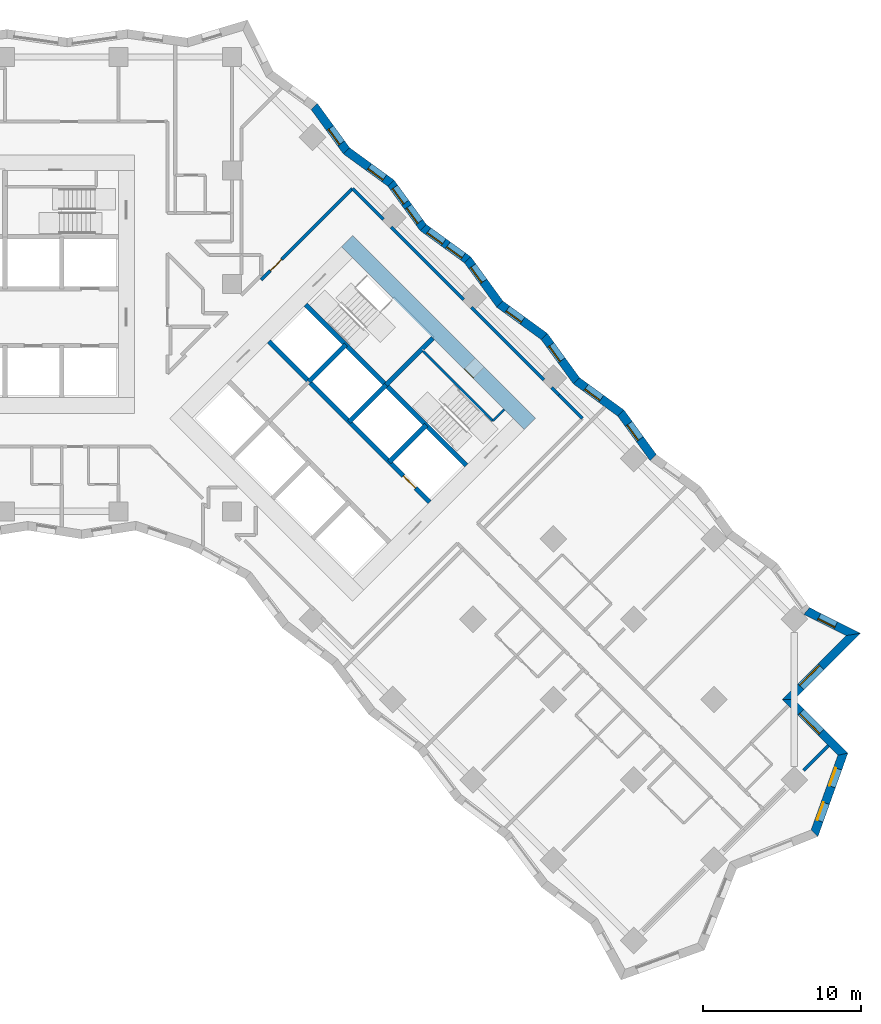
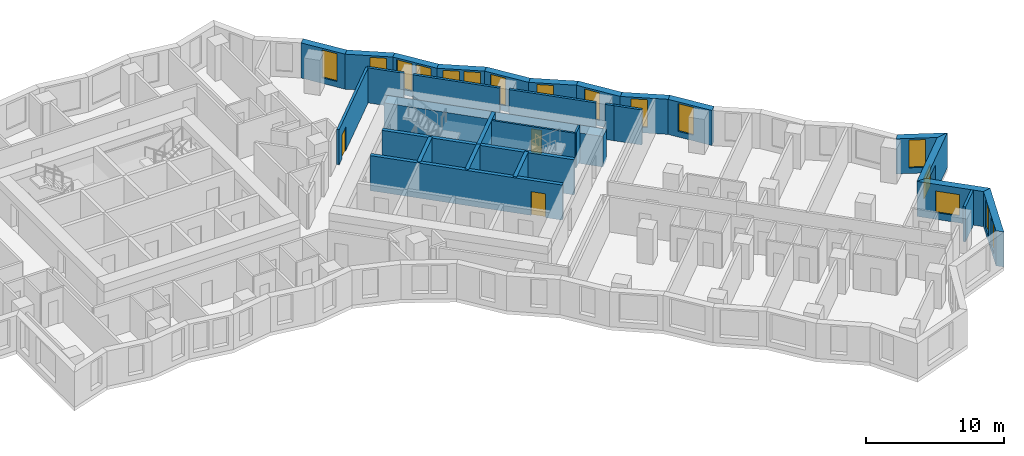
# One storey, part 9 of 12: 30 walls, 16 windows, 3 doors, 19 openings.
"""IFC4 building model written with IfcOpenShell, lengths in metres."""

import ifcopenshell
import ifcopenshell.guid

model = None  # the IFC model being written
_history = None  # IfcOwnerHistory: only IFC2X3 demands one
_inside = {}  # id of a spatial element -> (the spatial element, [elements in it])
_under = {}  # id of a project, library or spatial element -> (it, [spatial elements below it])
_declared = {}  # id of a project -> (the project, [libraries it declares])
_typed = {}  # id of a type object -> (the type object, [elements of that type])
_made_of = {}  # id of a material, layer set ... -> (it, [elements and type objects made of it])


def new_model(schema):
    """Start an empty IFC model of exactly this schema.

    Asked for "IFC4X3", IfcOpenShell would pick the latest addendum, in which some entities
    have other attributes; the version numbers below select the first issue.
    IFC2X3 requires an IfcOwnerHistory on every rooted entity: one is made here for all.
    """
    global model, _history
    if schema == "IFC4X3":
        model = ifcopenshell.file(schema_version=(4, 3, 0, 0))
    else:
        model = ifcopenshell.file(schema=schema)
    _inside.clear()
    _under.clear()
    _declared.clear()
    _typed.clear()
    _made_of.clear()
    _history = None
    if model.schema == "IFC2X3":
        org = make("IfcOrganization", Name="unknown")
        user = make(
            "IfcPersonAndOrganization",
            ThePerson=make("IfcPerson", FamilyName="unknown"),
            TheOrganization=org,
        )
        app = make(
            "IfcApplication",
            ApplicationDeveloper=org,
            Version="unknown",
            ApplicationFullName="unknown",
            ApplicationIdentifier="unknown",
        )
        _history = make(
            "IfcOwnerHistory",
            OwningUser=user,
            OwningApplication=app,
            ChangeAction="ADDED",
            CreationDate=0,
        )
    return model


def make(cls, **values):
    """One entity of the class cls with the attributes given. An attribute that is None is left unset."""
    return model.create_entity(
        cls, **{name: value for name, value in values.items() if value is not None}
    )


def rooted(cls, **values):
    """An entity with a GlobalId (a new one), such as an element, a storey or a relation."""
    return make(cls, GlobalId=ifcopenshell.guid.new(), OwnerHistory=_history, **values)


def si_unit(unit_type, name, prefix=None):
    """IfcSIUnit, for example si_unit("LENGTHUNIT", "METRE", prefix="MILLI")."""
    return make("IfcSIUnit", UnitType=unit_type, Prefix=prefix, Name=name)


def assignment(units):
    """IfcUnitAssignment: the units of a project."""
    return None if units is None else make("IfcUnitAssignment", Units=units)


def point(xyz):
    """IfcCartesianPoint."""
    return None if xyz is None else make("IfcCartesianPoint", Coordinates=xyz)


def direction(xyz):
    """IfcDirection."""
    return None if xyz is None else make("IfcDirection", DirectionRatios=xyz)


def frame(location, z_axis=None, x_axis=None):
    """IfcAxis2Placement3D, a coordinate frame: its origin and axes. An axis left out is left unset."""
    return make(
        "IfcAxis2Placement3D",
        Location=point(location),
        Axis=direction(z_axis),
        RefDirection=direction(x_axis),
    )


def frame_2d(location, x_axis=None):
    """IfcAxis2Placement2D, a coordinate frame in the plane: its origin and x axis."""
    return make(
        "IfcAxis2Placement2D", Location=point(location), RefDirection=direction(x_axis)
    )


def origin():
    """The frame at (0, 0, 0) with its axes left unset."""
    return frame((0.0, 0.0, 0.0))


def place(relative_to, where):
    """IfcLocalPlacement: puts the frame where relative to a parent placement (None: the world)."""
    return make(
        "IfcLocalPlacement", PlacementRelTo=relative_to, RelativePlacement=where
    )


def context(
    kind, dimensions, precision=None, world=None, true_north=None, identifier=None
):
    """IfcGeometricRepresentationContext, for example the 3D "Model" context."""
    return make(
        "IfcGeometricRepresentationContext",
        ContextIdentifier=identifier,
        ContextType=kind,
        CoordinateSpaceDimension=dimensions,
        Precision=precision,
        WorldCoordinateSystem=world,
        TrueNorth=true_north,
    )


def subcontext(parent, identifier, kind, view, scale=None):
    """IfcGeometricRepresentationSubContext, for example "Body" below "Model"."""
    return make(
        "IfcGeometricRepresentationSubContext",
        ContextIdentifier=identifier,
        ContextType=kind,
        ParentContext=parent,
        TargetScale=scale,
        TargetView=view,
    )


def project(units=None, contexts=None):
    """IfcProject with its units and contexts."""
    return rooted(
        "IfcProject",
        Name="project",
        RepresentationContexts=contexts,
        UnitsInContext=assignment(units),
    )


def spatial(cls, under=None, at=None, **own):
    """A site, building, storey or space (cls), placed at a placement, below another one or the project."""
    s = rooted(cls, ObjectPlacement=at, **own)
    if under is not None:
        _under.setdefault(under.id(), (under, []))[1].append(s)
    return s


def polyline(points):
    """IfcPolyline through the points."""
    return make("IfcPolyline", Points=[point(p) for p in points])


def profile(cls, at=None, kind="AREA", **sizes):
    """A parametric profile (cls). Its sizes go by their IFC names, for example OverallWidth=200.0."""
    return make(cls, ProfileType=kind, Position=at, **sizes)


def rectangle(**sizes):
    """IfcRectangleProfileDef."""
    return profile("IfcRectangleProfileDef", **sizes)


def outline(outer, holes=None, kind="AREA"):
    """IfcArbitraryClosedProfileDef: a profile drawn as a closed curve; with holes, ...WithVoids."""
    if holes is None:
        return make("IfcArbitraryClosedProfileDef", ProfileType=kind, OuterCurve=outer)
    return make(
        "IfcArbitraryProfileDefWithVoids",
        ProfileType=kind,
        OuterCurve=outer,
        InnerCurves=holes,
    )


def extrude(swept, where, along, depth):
    """IfcExtrudedAreaSolid: the profile swept, set in the frame where, extruded along a direction by depth."""
    return make(
        "IfcExtrudedAreaSolid",
        SweptArea=swept,
        Position=where,
        ExtrudedDirection=direction(along),
        Depth=depth,
    )


def shape(context_of_items, identifier, shape_type, items):
    """IfcShapeRepresentation: the items that make up one representation, for example the "Body"."""
    return make(
        "IfcShapeRepresentation",
        ContextOfItems=context_of_items,
        RepresentationIdentifier=identifier,
        RepresentationType=shape_type,
        Items=items,
    )


def material(Name=None, Category=None):
    """IfcMaterial."""
    return make("IfcMaterial", Name=Name, Category=Category)


def layer(
    of_material, thickness, ventilated=None, Name=None, Category=None, Priority=None
):
    """IfcMaterialLayer: one layer of a wall or slab, of a material (None: an air gap)."""
    return make(
        "IfcMaterialLayer",
        Material=of_material,
        LayerThickness=thickness,
        IsVentilated=ventilated,
        Name=Name,
        Category=Category,
        Priority=Priority,
    )


def layer_set(layers, Name=None):
    """IfcMaterialLayerSet."""
    return make("IfcMaterialLayerSet", MaterialLayers=layers, LayerSetName=Name)


def made_of(thing, what):
    """Note that an element or type object is made of a material, layer set ...; save() writes the relation."""
    if what is not None:
        _made_of.setdefault(what.id(), (what, []))[1].append(thing)
    return thing


def type_object(cls, material=None, **own):
    """A type object (cls), such as IfcWallType, which elements share."""
    return made_of(rooted(cls, **own), material)


def element(
    cls,
    number,
    at=None,
    inside=None,
    cuts=None,
    type_object=None,
    material=None,
    context=None,
    identifier="Body",
    shape_type=None,
    held_by="IfcProductDefinitionShape",
    body=None,
    shapes=None,
    **own,
):
    """One element of the class cls, such as IfcWall. Its Tag is "e" and its number.

    at: its placement. inside: the storey or other place that contains it. cuts: it is an
    opening in that element (IfcRelVoidsElement). A single representation is given by context,
    identifier, shape_type and body (its items); several are given by shapes. held_by: the class
    of the entity that holds the representations. save() writes the other relations.
    """
    e = rooted(cls, Tag="e%d" % number, ObjectPlacement=at, **own)
    if body is not None:
        shapes = [shape(context, identifier, shape_type, body)]
    if shapes is not None:
        e.Representation = make(held_by, Representations=shapes)
    if inside is not None:
        _inside.setdefault(inside.id(), (inside, []))[1].append(e)
    if cuts is not None:
        rooted(
            "IfcRelVoidsElement", RelatingBuildingElement=cuts, RelatedOpeningElement=e
        )
    if type_object is not None:
        _typed.setdefault(type_object.id(), (type_object, []))[1].append(e)
    return made_of(e, material)


def fill(opening, filler):
    """IfcRelFillsElement: the door or window that sits in an opening."""
    return rooted(
        "IfcRelFillsElement",
        RelatingOpeningElement=opening,
        RelatedBuildingElement=filler,
    )


def aggregate(whole, parts):
    """IfcRelAggregates: a whole, such as a stair, and the parts it consists of."""
    return rooted("IfcRelAggregates", RelatingObject=whole, RelatedObjects=parts)


def save(model, path):
    """Write the relations noted so far, then the file.

    IfcRelAggregates (storeys below a building ...), IfcRelContainedInSpatialStructure (elements
    in a storey), IfcRelDefinesByType, IfcRelAssociatesMaterial and IfcRelDeclares: one each for
    every whole, place, type object, material and project.
    """
    for whole, parts in _under.values():
        aggregate(whole, parts)
    for where, things in _inside.values():
        rooted(
            "IfcRelContainedInSpatialStructure",
            RelatedElements=things,
            RelatingStructure=where,
        )
    for kind, things in _typed.values():
        rooted("IfcRelDefinesByType", RelatedObjects=things, RelatingType=kind)
    for what, things in _made_of.values():
        rooted("IfcRelAssociatesMaterial", RelatedObjects=things, RelatingMaterial=what)
    for by, libraries in _declared.values():
        rooted("IfcRelDeclares", RelatingContext=by, RelatedDefinitions=libraries)
    model.write(path)


model = new_model("IFC4")

# Units and contexts
model_context = context("Model", 3, precision=1e-05, world=origin(), true_north=direction((0.0, 1.0)))
body_context = subcontext(model_context, "Body", "Model", "MODEL_VIEW")
ifc_project = project(units=[si_unit("LENGTHUNIT", "METRE"), si_unit("AREAUNIT", "SQUARE_METRE"), si_unit("VOLUMEUNIT", "CUBIC_METRE"), si_unit("PLANEANGLEUNIT", "RADIAN"), si_unit("MASSUNIT", "GRAM", prefix="KILO")], contexts=[model_context])

# Site, building, storey
site_placement = place(None, origin())
site = spatial("IfcSite", under=ifc_project, at=site_placement, CompositionType="ELEMENT")
building_placement = place(site_placement, origin())
building = spatial("IfcBuilding", under=site, at=building_placement, Name="Windrow Commons", CompositionType="ELEMENT")
storey_placement = place(building_placement, frame((0.0, 0.0, 54.2)))
storey = spatial("IfcBuildingStorey", under=building, at=storey_placement, Name="L14", CompositionType="ELEMENT", Elevation=54.2)

# Wall, openings, windows
ifc_material_1 = material(Name="Brick masonry, red clay brick", Category="masonry")
ifc_layer_1 = layer(ifc_material_1, 0.55)
ifc_layer_set_1 = layer_set([ifc_layer_1], Name="Brick facade wall 550")
wall_type_1 = type_object("IfcWallType", Name="Brick facade wall 550", PredefinedType="SOLIDWALL", material=ifc_layer_set_1)
wall_1_placement = place(storey_placement, frame((116.1165, 22.7934, 0.0), z_axis=(0.0, 0.0, 1.0), x_axis=(0.3376911299, 0.9412569791, 0.0)))
wall_1 = element("IfcWall", 1, at=wall_1_placement, inside=storey, type_object=wall_type_1, Name="Brick facade wall L14 4", PredefinedType="SOLIDWALL", context=body_context, shape_type="SweptSolid", body=[
    extrude(outline(polyline([(-0.1243, -0.275), (5.499, -0.275), (5.1504, 0.275), (0.1243, 0.275), (-0.1243, -0.275)])), origin(), (0.0, 0.0, 1.0), 3.1),
])
opening_1_placement = place(wall_1_placement, frame((0.8406, 0.0, 0.5)))
opening_1 = element("IfcOpeningElement", 2, at=opening_1_placement, cuts=wall_1, Name="Opening W7D", PredefinedType="OPENING", context=body_context, shape_type="SweptSolid", body=[
    extrude(rectangle(XDim=1.2, YDim=2.45, at=frame_2d((0.6, 1.225))), frame((0.0, 0.285, 0.0), z_axis=(0.0, -1.0, 0.0), x_axis=(1.0, 0.0, 0.0)), (0.0, 0.0, 1.0), 0.57),
])
opening_2_placement = place(wall_1_placement, frame((3.1536, 0.0, 0.5)))
opening_2 = element("IfcOpeningElement", 3, at=opening_2_placement, cuts=wall_1, Name="Opening W7D", PredefinedType="OPENING", context=body_context, shape_type="SweptSolid", body=[
    extrude(rectangle(XDim=1.2, YDim=2.45, at=frame_2d((0.6, 1.225))), frame((0.0, 0.285, 0.0), z_axis=(0.0, -1.0, 0.0), x_axis=(1.0, 0.0, 0.0)), (0.0, 0.0, 1.0), 0.57),
])
ifc_material_2 = material(Name="Clear float glass in anodised aluminium frame", Category="aluminium")
window_type_1 = type_object("IfcWindowType", Name="Window W7 notch 1200x2450", PartitioningType="SINGLE_PANEL", PredefinedType="WINDOW", material=ifc_material_2)
window_1_placement = place(opening_1_placement, origin())
window_1 = element("IfcWindow", 4, at=window_1_placement, inside=storey, type_object=window_type_1, Name="Window L14 4.1", OverallHeight=2.45, OverallWidth=1.2, PartitioningType="SINGLE_PANEL", PredefinedType="WINDOW", context=body_context, shape_type="SweptSolid", body=[
    extrude(rectangle(XDim=1.2, YDim=2.45, at=frame_2d((0.6, 1.225))), frame((0.0, 0.155, 0.0), z_axis=(0.0, -1.0, 0.0), x_axis=(1.0, 0.0, 0.0)), (0.0, 0.0, 1.0), 0.06),
])
fill(opening_1, window_1)
window_2_placement = place(opening_2_placement, origin())
window_2 = element("IfcWindow", 5, at=window_2_placement, inside=storey, type_object=window_type_1, Name="Window L14 4.2", OverallHeight=2.45, OverallWidth=1.2, PartitioningType="SINGLE_PANEL", PredefinedType="WINDOW", context=body_context, shape_type="SweptSolid", body=[
    extrude(rectangle(XDim=1.2, YDim=2.45, at=frame_2d((0.6, 1.225))), frame((0.0, 0.155, 0.0), z_axis=(0.0, -1.0, 0.0), x_axis=(1.0, 0.0, 0.0)), (0.0, 0.0, 1.0), 0.06),
])
fill(opening_2, window_2)

# Wall, opening, window
wall_2_placement = place(storey_placement, frame((117.9146, 27.8053, 0.0), z_axis=(0.0, 0.0, 1.0), x_axis=(-0.7071067812, 0.7071067812, 0.0)))
wall_2 = element("IfcWall", 6, at=wall_2_placement, inside=storey, type_object=wall_type_1, Name="Brick facade wall L14 5", PredefinedType="SOLIDWALL", context=body_context, shape_type="SweptSolid", body=[
    extrude(outline(polyline([(-0.1743, -0.275), (4.6257, -0.275), (5.1757, 0.275), (0.1743, 0.275), (-0.1743, -0.275)])), origin(), (0.0, 0.0, 1.0), 3.1),
])
opening_3_placement = place(wall_2_placement, frame((1.9632, 0.0, 0.6)))
opening_3 = element("IfcOpeningElement", 7, at=opening_3_placement, cuts=wall_2, Name="Opening W1L", PredefinedType="OPENING", context=body_context, shape_type="SweptSolid", body=[
    extrude(rectangle(XDim=1.8, YDim=1.9, at=frame_2d((0.9, 0.95))), frame((0.0, 0.285, 0.0), z_axis=(0.0, -1.0, 0.0), x_axis=(1.0, 0.0, 0.0)), (0.0, 0.0, 1.0), 0.57),
])
ifc_material_3 = material(Name="Clear float glass in anodised aluminium frame", Category="aluminium")
window_type_2 = type_object("IfcWindowType", Name="Window W1L bedroom 1800x1900", PartitioningType="SINGLE_PANEL", PredefinedType="WINDOW", material=ifc_material_3)
window_3_placement = place(opening_3_placement, origin())
window_3 = element("IfcWindow", 8, at=window_3_placement, inside=storey, type_object=window_type_2, Name="Window L14 5.1", OverallHeight=1.9, OverallWidth=1.8, PartitioningType="SINGLE_PANEL", PredefinedType="WINDOW", context=body_context, shape_type="SweptSolid", body=[
    extrude(rectangle(XDim=1.8, YDim=1.9, at=frame_2d((0.9, 0.95))), frame((0.0, 0.155, 0.0), z_axis=(0.0, -1.0, 0.0), x_axis=(1.0, 0.0, 0.0)), (0.0, 0.0, 1.0), 0.06),
])
fill(opening_3, window_3)

wall_3_placement = place(storey_placement, frame((114.4493, 31.2706, 0.0), z_axis=(0.0, 0.0, 1.0), x_axis=(0.7070982134, 0.7071153489, 0.0)))
wall_3 = element("IfcWall", 9, at=wall_3_placement, inside=storey, type_object=wall_type_1, Name="Brick facade wall L14 6", PredefinedType="SOLIDWALL", context=body_context, shape_type="SweptSolid", body=[
    extrude(outline(polyline([(0.275, -0.275), (6.217, -0.275), (5.4547, 0.275), (-0.275, 0.275), (0.275, -0.275)])), origin(), (0.0, 0.0, 1.0), 3.1),
])
opening_4_placement = place(wall_3_placement, frame((1.1375, 0.0, 0.6)))
opening_4 = element("IfcOpeningElement", 10, at=opening_4_placement, cuts=wall_3, Name="Opening W1L", PredefinedType="OPENING", context=body_context, shape_type="SweptSolid", body=[
    extrude(rectangle(XDim=1.8, YDim=1.9, at=frame_2d((0.9, 0.95))), frame((0.0, 0.285, 0.0), z_axis=(0.0, -1.0, 0.0), x_axis=(1.0, 0.0, 0.0)), (0.0, 0.0, 1.0), 0.57),
])
window_4_placement = place(opening_4_placement, origin())
window_4 = element("IfcWindow", 11, at=window_4_placement, inside=storey, type_object=window_type_2, Name="Window L14 6.1", OverallHeight=1.9, OverallWidth=1.8, PartitioningType="SINGLE_PANEL", PredefinedType="WINDOW", context=body_context, shape_type="SweptSolid", body=[
    extrude(rectangle(XDim=1.8, YDim=1.9, at=frame_2d((0.9, 0.95))), frame((0.0, 0.155, 0.0), z_axis=(0.0, -1.0, 0.0), x_axis=(1.0, 0.0, 0.0)), (0.0, 0.0, 1.0), 0.06),
])
fill(opening_4, window_4)

wall_4_placement = place(storey_placement, frame((118.5758, 35.3972, 0.0), z_axis=(0.0, 0.0, 1.0), x_axis=(-0.8940457648, 0.4479756359, 0.0)))
wall_4 = element("IfcWall", 12, at=wall_4_placement, inside=storey, type_object=wall_type_1, Name="Brick facade wall L14 7", PredefinedType="SOLIDWALL", context=body_context, shape_type="SweptSolid", body=[
    extrude(outline(polyline([(-0.3812, -0.275), (3.2393, -0.275), (3.3731, 0.275), (0.3812, 0.275), (-0.3812, -0.275)])), origin(), (0.0, 0.0, 1.0), 3.1),
])
opening_5_placement = place(wall_4_placement, frame((1.2437, 0.0, 0.5)))
opening_5 = element("IfcOpeningElement", 13, at=opening_5_placement, cuts=wall_4, Name="Opening W7D", PredefinedType="OPENING", context=body_context, shape_type="SweptSolid", body=[
    extrude(rectangle(XDim=1.2, YDim=2.45, at=frame_2d((0.6, 1.225))), frame((0.0, 0.285, 0.0), z_axis=(0.0, -1.0, 0.0), x_axis=(1.0, 0.0, 0.0)), (0.0, 0.0, 1.0), 0.57),
])
window_5_placement = place(opening_5_placement, origin())
window_5 = element("IfcWindow", 14, at=window_5_placement, inside=storey, type_object=window_type_1, Name="Window L14 7.1", OverallHeight=2.45, OverallWidth=1.2, PartitioningType="SINGLE_PANEL", PredefinedType="WINDOW", context=body_context, shape_type="SweptSolid", body=[
    extrude(rectangle(XDim=1.2, YDim=2.45, at=frame_2d((0.6, 1.225))), frame((0.0, 0.155, 0.0), z_axis=(0.0, -1.0, 0.0), x_axis=(1.0, 0.0, 0.0)), (0.0, 0.0, 1.0), 0.06),
])
fill(opening_5, window_5)

wall_5_placement = place(storey_placement, frame((105.8887, 46.6147, 0.0), z_axis=(0.0, 0.0, 1.0), x_axis=(-0.5882793931, 0.8086577494, 0.0)))
wall_5 = element("IfcWall", 15, at=wall_5_placement, inside=storey, type_object=wall_type_1, Name="Brick facade wall L14 12", PredefinedType="SOLIDWALL", context=body_context, shape_type="SweptSolid", body=[
    extrude(outline(polyline([(0.0434, -0.275), (3.5215, -0.275), (3.4347, 0.275), (-0.0434, 0.275), (0.0434, -0.275)])), origin(), (0.0, 0.0, 1.0), 3.1),
])
opening_6_placement = place(wall_5_placement, frame((1.4334, 0.0, 0.5)))
opening_6 = element("IfcOpeningElement", 16, at=opening_6_placement, cuts=wall_5, Name="Opening W7D", PredefinedType="OPENING", context=body_context, shape_type="SweptSolid", body=[
    extrude(rectangle(XDim=1.2, YDim=2.45, at=frame_2d((0.6, 1.225))), frame((0.0, 0.285, 0.0), z_axis=(0.0, -1.0, 0.0), x_axis=(1.0, 0.0, 0.0)), (0.0, 0.0, 1.0), 0.57),
])
window_6_placement = place(opening_6_placement, origin())
window_6 = element("IfcWindow", 17, at=window_6_placement, inside=storey, type_object=window_type_1, Name="Window L14 12.1", OverallHeight=2.45, OverallWidth=1.2, PartitioningType="SINGLE_PANEL", PredefinedType="WINDOW", context=body_context, shape_type="SweptSolid", body=[
    extrude(rectangle(XDim=1.2, YDim=2.45, at=frame_2d((0.6, 1.225))), frame((0.0, 0.155, 0.0), z_axis=(0.0, -1.0, 0.0), x_axis=(1.0, 0.0, 0.0)), (0.0, 0.0, 1.0), 0.06),
])
fill(opening_6, window_6)

wall_6_placement = place(storey_placement, frame((103.8426, 49.4273, 0.0), z_axis=(0.0, 0.0, 1.0), x_axis=(-0.8086676991, 0.5882657159, 0.0)))
wall_6 = element("IfcWall", 18, at=wall_6_placement, inside=storey, type_object=wall_type_1, Name="Brick facade wall L14 13", PredefinedType="SOLIDWALL", context=body_context, shape_type="SweptSolid", body=[
    extrude(outline(polyline([(-0.0434, -0.275), (3.4347, -0.275), (3.5215, 0.275), (0.0434, 0.275), (-0.0434, -0.275)])), origin(), (0.0, 0.0, 1.0), 3.1),
])
opening_7_placement = place(wall_6_placement, frame((1.5383, 0.0, 0.5)))
opening_7 = element("IfcOpeningElement", 19, at=opening_7_placement, cuts=wall_6, Name="Opening W7D", PredefinedType="OPENING", context=body_context, shape_type="SweptSolid", body=[
    extrude(rectangle(XDim=1.2, YDim=2.45, at=frame_2d((0.6, 1.225))), frame((0.0, 0.285, 0.0), z_axis=(0.0, -1.0, 0.0), x_axis=(1.0, 0.0, 0.0)), (0.0, 0.0, 1.0), 0.57),
])
window_7_placement = place(opening_7_placement, origin())
window_7 = element("IfcWindow", 20, at=window_7_placement, inside=storey, type_object=window_type_1, Name="Window L14 13.1", OverallHeight=2.45, OverallWidth=1.2, PartitioningType="SINGLE_PANEL", PredefinedType="WINDOW", context=body_context, shape_type="SweptSolid", body=[
    extrude(rectangle(XDim=1.2, YDim=2.45, at=frame_2d((0.6, 1.225))), frame((0.0, 0.155, 0.0), z_axis=(0.0, -1.0, 0.0), x_axis=(1.0, 0.0, 0.0)), (0.0, 0.0, 1.0), 0.06),
])
fill(opening_7, window_7)

wall_7_placement = place(storey_placement, frame((101.0299, 51.4734, 0.0), z_axis=(0.0, 0.0, 1.0), x_axis=(-0.5882793931, 0.8086577494, 0.0)))
wall_7 = element("IfcWall", 21, at=wall_7_placement, inside=storey, type_object=wall_type_1, Name="Brick facade wall L14 14", PredefinedType="SOLIDWALL", context=body_context, shape_type="SweptSolid", body=[
    extrude(outline(polyline([(0.0434, -0.275), (3.5215, -0.275), (3.4347, 0.275), (-0.0434, 0.275), (0.0434, -0.275)])), origin(), (0.0, 0.0, 1.0), 3.1),
])
opening_8_placement = place(wall_7_placement, frame((1.5998, 0.0, 0.5)))
opening_8 = element("IfcOpeningElement", 22, at=opening_8_placement, cuts=wall_7, Name="Opening W7D", PredefinedType="OPENING", context=body_context, shape_type="SweptSolid", body=[
    extrude(rectangle(XDim=1.2, YDim=2.45, at=frame_2d((0.6, 1.225))), frame((0.0, 0.285, 0.0), z_axis=(0.0, -1.0, 0.0), x_axis=(1.0, 0.0, 0.0)), (0.0, 0.0, 1.0), 0.57),
])
window_8_placement = place(opening_8_placement, origin())
window_8 = element("IfcWindow", 23, at=window_8_placement, inside=storey, type_object=window_type_1, Name="Window L14 14.1", OverallHeight=2.45, OverallWidth=1.2, PartitioningType="SINGLE_PANEL", PredefinedType="WINDOW", context=body_context, shape_type="SweptSolid", body=[
    extrude(rectangle(XDim=1.2, YDim=2.45, at=frame_2d((0.6, 1.225))), frame((0.0, 0.155, 0.0), z_axis=(0.0, -1.0, 0.0), x_axis=(1.0, 0.0, 0.0)), (0.0, 0.0, 1.0), 0.06),
])
fill(opening_8, window_8)

wall_8_placement = place(storey_placement, frame((98.9838, 54.286, 0.0), z_axis=(0.0, 0.0, 1.0), x_axis=(-0.8086577494, 0.5882793931, 0.0)))
wall_8 = element("IfcWall", 24, at=wall_8_placement, inside=storey, type_object=wall_type_1, Name="Brick facade wall L14 15", PredefinedType="SOLIDWALL", context=body_context, shape_type="SweptSolid", body=[
    extrude(outline(polyline([(-0.0434, -0.275), (3.4347, -0.275), (3.5215, 0.275), (0.0434, 0.275), (-0.0434, -0.275)])), origin(), (0.0, 0.0, 1.0), 3.1),
])
opening_9_placement = place(wall_8_placement, frame((1.7047, 0.0, 0.5)))
opening_9 = element("IfcOpeningElement", 25, at=opening_9_placement, cuts=wall_8, Name="Opening W7D", PredefinedType="OPENING", context=body_context, shape_type="SweptSolid", body=[
    extrude(rectangle(XDim=1.2, YDim=2.45, at=frame_2d((0.6, 1.225))), frame((0.0, 0.285, 0.0), z_axis=(0.0, -1.0, 0.0), x_axis=(1.0, 0.0, 0.0)), (0.0, 0.0, 1.0), 0.57),
])
window_9_placement = place(opening_9_placement, origin())
window_9 = element("IfcWindow", 26, at=window_9_placement, inside=storey, type_object=window_type_1, Name="Window L14 15.1", OverallHeight=2.45, OverallWidth=1.2, PartitioningType="SINGLE_PANEL", PredefinedType="WINDOW", context=body_context, shape_type="SweptSolid", body=[
    extrude(rectangle(XDim=1.2, YDim=2.45, at=frame_2d((0.6, 1.225))), frame((0.0, 0.155, 0.0), z_axis=(0.0, -1.0, 0.0), x_axis=(1.0, 0.0, 0.0)), (0.0, 0.0, 1.0), 0.06),
])
fill(opening_9, window_9)

wall_9_placement = place(storey_placement, frame((96.1712, 56.3321, 0.0), z_axis=(0.0, 0.0, 1.0), x_axis=(-0.5882793931, 0.8086577494, 0.0)))
wall_9 = element("IfcWall", 27, at=wall_9_placement, inside=storey, type_object=wall_type_1, Name="Brick facade wall L14 16", PredefinedType="SOLIDWALL", context=body_context, shape_type="SweptSolid", body=[
    extrude(outline(polyline([(0.0434, -0.275), (3.5215, -0.275), (3.4347, 0.275), (-0.0434, 0.275), (0.0434, -0.275)])), origin(), (0.0, 0.0, 1.0), 3.1),
])
opening_10_placement = place(wall_9_placement, frame((1.7662, 0.0, 0.5)))
opening_10 = element("IfcOpeningElement", 28, at=opening_10_placement, cuts=wall_9, Name="Opening W7D", PredefinedType="OPENING", context=body_context, shape_type="SweptSolid", body=[
    extrude(rectangle(XDim=1.2, YDim=2.45, at=frame_2d((0.6, 1.225))), frame((0.0, 0.285, 0.0), z_axis=(0.0, -1.0, 0.0), x_axis=(1.0, 0.0, 0.0)), (0.0, 0.0, 1.0), 0.57),
])
window_10_placement = place(opening_10_placement, origin())
window_10 = element("IfcWindow", 29, at=window_10_placement, inside=storey, type_object=window_type_1, Name="Window L14 16.1", OverallHeight=2.45, OverallWidth=1.2, PartitioningType="SINGLE_PANEL", PredefinedType="WINDOW", context=body_context, shape_type="SweptSolid", body=[
    extrude(rectangle(XDim=1.2, YDim=2.45, at=frame_2d((0.6, 1.225))), frame((0.0, 0.155, 0.0), z_axis=(0.0, -1.0, 0.0), x_axis=(1.0, 0.0, 0.0)), (0.0, 0.0, 1.0), 0.06),
])
fill(opening_10, window_10)

# Wall, openings, windows
wall_10_placement = place(storey_placement, frame((94.1251, 59.1447, 0.0), z_axis=(0.0, 0.0, 1.0), x_axis=(-0.808644072, 0.5882981939, 0.0)))
wall_10 = element("IfcWall", 30, at=wall_10_placement, inside=storey, type_object=wall_type_1, Name="Brick facade wall L14 17", PredefinedType="SOLIDWALL", context=body_context, shape_type="SweptSolid", body=[
    extrude(outline(polyline([(-0.0434, -0.275), (3.4347, -0.275), (3.5215, 0.275), (0.0434, 0.275), (-0.0434, -0.275)])), origin(), (0.0, 0.0, 1.0), 3.1),
])
opening_11_placement = place(wall_10_placement, frame((0.3537, 0.0, 0.5)))
opening_11 = element("IfcOpeningElement", 31, at=opening_11_placement, cuts=wall_10, Name="Opening W7D", PredefinedType="OPENING", context=body_context, shape_type="SweptSolid", body=[
    extrude(rectangle(XDim=1.2, YDim=2.45, at=frame_2d((0.6, 1.225))), frame((0.0, 0.285, 0.0), z_axis=(0.0, -1.0, 0.0), x_axis=(1.0, 0.0, 0.0)), (0.0, 0.0, 1.0), 0.57),
])
opening_12_placement = place(wall_10_placement, frame((1.8711, 0.0, 0.5)))
opening_12 = element("IfcOpeningElement", 32, at=opening_12_placement, cuts=wall_10, Name="Opening W7D", PredefinedType="OPENING", context=body_context, shape_type="SweptSolid", body=[
    extrude(rectangle(XDim=1.2, YDim=2.45, at=frame_2d((0.6, 1.225))), frame((0.0, 0.285, 0.0), z_axis=(0.0, -1.0, 0.0), x_axis=(1.0, 0.0, 0.0)), (0.0, 0.0, 1.0), 0.57),
])
window_11_placement = place(opening_11_placement, origin())
window_11 = element("IfcWindow", 33, at=window_11_placement, inside=storey, type_object=window_type_1, Name="Window L14 17.1", OverallHeight=2.45, OverallWidth=1.2, PartitioningType="SINGLE_PANEL", PredefinedType="WINDOW", context=body_context, shape_type="SweptSolid", body=[
    extrude(rectangle(XDim=1.2, YDim=2.45, at=frame_2d((0.6, 1.225))), frame((0.0, 0.155, 0.0), z_axis=(0.0, -1.0, 0.0), x_axis=(1.0, 0.0, 0.0)), (0.0, 0.0, 1.0), 0.06),
])
fill(opening_11, window_11)
window_12_placement = place(opening_12_placement, origin())
window_12 = element("IfcWindow", 34, at=window_12_placement, inside=storey, type_object=window_type_1, Name="Window L14 17.2", OverallHeight=2.45, OverallWidth=1.2, PartitioningType="SINGLE_PANEL", PredefinedType="WINDOW", context=body_context, shape_type="SweptSolid", body=[
    extrude(rectangle(XDim=1.2, YDim=2.45, at=frame_2d((0.6, 1.225))), frame((0.0, 0.155, 0.0), z_axis=(0.0, -1.0, 0.0), x_axis=(1.0, 0.0, 0.0)), (0.0, 0.0, 1.0), 0.06),
])
fill(opening_12, window_12)

wall_11_placement = place(storey_placement, frame((91.3125, 61.1909, 0.0), z_axis=(0.0, 0.0, 1.0), x_axis=(-0.5882793931, 0.8086577494, 0.0)))
wall_11 = element("IfcWall", 35, at=wall_11_placement, inside=storey, type_object=wall_type_1, Name="Brick facade wall L14 18", PredefinedType="SOLIDWALL", context=body_context, shape_type="SweptSolid", body=[
    extrude(outline(polyline([(0.0434, -0.275), (3.5215, -0.275), (3.4347, 0.275), (-0.0434, 0.275), (0.0434, -0.275)])), origin(), (0.0, 0.0, 1.0), 3.1),
])
opening_13_placement = place(wall_11_placement, frame((0.4152, 0.0, 0.5)))
opening_13 = element("IfcOpeningElement", 36, at=opening_13_placement, cuts=wall_11, Name="Opening W7D", PredefinedType="OPENING", context=body_context, shape_type="SweptSolid", body=[
    extrude(rectangle(XDim=1.2, YDim=2.45, at=frame_2d((0.6, 1.225))), frame((0.0, 0.285, 0.0), z_axis=(0.0, -1.0, 0.0), x_axis=(1.0, 0.0, 0.0)), (0.0, 0.0, 1.0), 0.57),
])
opening_14_placement = place(wall_11_placement, frame((1.9326, 0.0, 0.5)))
opening_14 = element("IfcOpeningElement", 37, at=opening_14_placement, cuts=wall_11, Name="Opening W7D", PredefinedType="OPENING", context=body_context, shape_type="SweptSolid", body=[
    extrude(rectangle(XDim=1.2, YDim=2.45, at=frame_2d((0.6, 1.225))), frame((0.0, 0.285, 0.0), z_axis=(0.0, -1.0, 0.0), x_axis=(1.0, 0.0, 0.0)), (0.0, 0.0, 1.0), 0.57),
])
window_13_placement = place(opening_13_placement, origin())
window_13 = element("IfcWindow", 38, at=window_13_placement, inside=storey, type_object=window_type_1, Name="Window L14 18.1", OverallHeight=2.45, OverallWidth=1.2, PartitioningType="SINGLE_PANEL", PredefinedType="WINDOW", context=body_context, shape_type="SweptSolid", body=[
    extrude(rectangle(XDim=1.2, YDim=2.45, at=frame_2d((0.6, 1.225))), frame((0.0, 0.155, 0.0), z_axis=(0.0, -1.0, 0.0), x_axis=(1.0, 0.0, 0.0)), (0.0, 0.0, 1.0), 0.06),
])
fill(opening_13, window_13)
window_14_placement = place(opening_14_placement, origin())
window_14 = element("IfcWindow", 39, at=window_14_placement, inside=storey, type_object=window_type_1, Name="Window L14 18.2", OverallHeight=2.45, OverallWidth=1.2, PartitioningType="SINGLE_PANEL", PredefinedType="WINDOW", context=body_context, shape_type="SweptSolid", body=[
    extrude(rectangle(XDim=1.2, YDim=2.45, at=frame_2d((0.6, 1.225))), frame((0.0, 0.155, 0.0), z_axis=(0.0, -1.0, 0.0), x_axis=(1.0, 0.0, 0.0)), (0.0, 0.0, 1.0), 0.06),
])
fill(opening_14, window_14)

# Wall, opening, window
wall_12_placement = place(storey_placement, frame((89.2664, 64.0035, 0.0), z_axis=(0.0, 0.0, 1.0), x_axis=(-0.8086577494, 0.5882793931, 0.0)))
wall_12 = element("IfcWall", 40, at=wall_12_placement, inside=storey, type_object=wall_type_1, Name="Brick facade wall L14 19", PredefinedType="SOLIDWALL", context=body_context, shape_type="SweptSolid", body=[
    extrude(outline(polyline([(-0.0434, -0.275), (3.4347, -0.275), (3.5215, 0.275), (0.0434, 0.275), (-0.0434, -0.275)])), origin(), (0.0, 0.0, 1.0), 3.1),
])
opening_15_placement = place(wall_12_placement, frame((0.5201, 0.0, 0.5)))
opening_15 = element("IfcOpeningElement", 41, at=opening_15_placement, cuts=wall_12, Name="Opening W7D", PredefinedType="OPENING", context=body_context, shape_type="SweptSolid", body=[
    extrude(rectangle(XDim=1.2, YDim=2.45, at=frame_2d((0.6, 1.225))), frame((0.0, 0.285, 0.0), z_axis=(0.0, -1.0, 0.0), x_axis=(1.0, 0.0, 0.0)), (0.0, 0.0, 1.0), 0.57),
])
window_15_placement = place(opening_15_placement, origin())
window_15 = element("IfcWindow", 42, at=window_15_placement, inside=storey, type_object=window_type_1, Name="Window L14 19.1", OverallHeight=2.45, OverallWidth=1.2, PartitioningType="SINGLE_PANEL", PredefinedType="WINDOW", context=body_context, shape_type="SweptSolid", body=[
    extrude(rectangle(XDim=1.2, YDim=2.45, at=frame_2d((0.6, 1.225))), frame((0.0, 0.155, 0.0), z_axis=(0.0, -1.0, 0.0), x_axis=(1.0, 0.0, 0.0)), (0.0, 0.0, 1.0), 0.06),
])
fill(opening_15, window_15)

wall_13_placement = place(storey_placement, frame((86.4538, 66.0496, 0.0), z_axis=(0.0, 0.0, 1.0), x_axis=(-0.5882793931, 0.8086577494, 0.0)))
wall_13 = element("IfcWall", 43, at=wall_13_placement, inside=storey, type_object=wall_type_1, Name="Brick facade wall L14 20", PredefinedType="SOLIDWALL", context=body_context, shape_type="SweptSolid", body=[
    extrude(outline(polyline([(0.0434, -0.275), (3.5215, -0.275), (3.4347, 0.275), (-0.0434, 0.275), (0.0434, -0.275)])), origin(), (0.0, 0.0, 1.0), 3.1),
])
opening_16_placement = place(wall_13_placement, frame((0.5816, 0.0, 0.5)))
opening_16 = element("IfcOpeningElement", 44, at=opening_16_placement, cuts=wall_13, Name="Opening W7D", PredefinedType="OPENING", context=body_context, shape_type="SweptSolid", body=[
    extrude(rectangle(XDim=1.2, YDim=2.45, at=frame_2d((0.6, 1.225))), frame((0.0, 0.285, 0.0), z_axis=(0.0, -1.0, 0.0), x_axis=(1.0, 0.0, 0.0)), (0.0, 0.0, 1.0), 0.57),
])
window_16_placement = place(opening_16_placement, origin())
window_16 = element("IfcWindow", 45, at=window_16_placement, inside=storey, type_object=window_type_1, Name="Window L14 20.1", OverallHeight=2.45, OverallWidth=1.2, PartitioningType="SINGLE_PANEL", PredefinedType="WINDOW", context=body_context, shape_type="SweptSolid", body=[
    extrude(rectangle(XDim=1.2, YDim=2.45, at=frame_2d((0.6, 1.225))), frame((0.0, 0.155, 0.0), z_axis=(0.0, -1.0, 0.0), x_axis=(1.0, 0.0, 0.0)), (0.0, 0.0, 1.0), 0.06),
])
fill(opening_16, window_16)

# Wall, opening, door
ifc_material_4 = material(Name="Blockwork partition", Category="masonry")
ifc_layer_2 = layer(ifc_material_4, 0.2)
ifc_layer_set_2 = layer_set([ifc_layer_2], Name="IW-CORRIDOR-200")
wall_type_2 = type_object("IfcWallType", Name="IW-CORRIDOR-200", PredefinedType="PARTITIONING", material=ifc_layer_set_2)
wall_14_placement = place(storey_placement, frame((81.0515, 57.8725, 0.0), z_axis=(0.0, 0.0, 1.0), x_axis=(0.7071067812, 0.7071067812, 0.0)))
wall_14 = element("IfcWall", 46, at=wall_14_placement, inside=storey, type_object=wall_type_2, Name="W-L14-W019", PredefinedType="PARTITIONING", context=body_context, shape_type="SweptSolid", body=[
    extrude(rectangle(XDim=8.1798, YDim=0.2, at=frame_2d((4.0899, 0.0))), origin(), (0.0, 0.0, 1.0), 3.1),
])
opening_17_placement = place(wall_14_placement, frame((0.8234, 0.0, 0.0)))
opening_17 = element("IfcOpeningElement", 47, at=opening_17_placement, cuts=wall_14, Name="Opening D310F", PredefinedType="OPENING", context=body_context, shape_type="SweptSolid", body=[
    extrude(rectangle(XDim=1.0, YDim=2.1, at=frame_2d((0.5, 1.05))), frame((0.0, 0.11, 0.0), z_axis=(0.0, -1.0, 0.0), x_axis=(1.0, 0.0, 0.0)), (0.0, 0.0, 1.0), 0.22),
])
ifc_material_5 = material(Name="Timber door leaf", Category="wood")
door_type_1 = type_object("IfcDoorType", Name="DT-AMENITY-1000", OperationType="SINGLE_SWING_LEFT", PredefinedType="DOOR", material=ifc_material_5)
door_1_placement = place(opening_17_placement, origin())
door_1 = element("IfcDoor", 48, at=door_1_placement, inside=storey, type_object=door_type_1, Name="D-L14-D032", OperationType="SINGLE_SWING_RIGHT", OverallHeight=2.1, OverallWidth=1.0, PredefinedType="DOOR", context=body_context, shape_type="SweptSolid", body=[
    extrude(rectangle(XDim=1.0, YDim=2.1, at=frame_2d((0.5, 1.05))), frame((0.0, 0.025, 0.0), z_axis=(0.0, -1.0, 0.0), x_axis=(1.0, 0.0, 0.0)), (0.0, 0.0, 1.0), 0.05),
])
fill(opening_17, door_1)

# Walls
wall_15_placement = place(storey_placement, frame((89.2712, 61.2152, 0.0), z_axis=(0.0, 0.0, 1.0), x_axis=(0.7071067812, -0.7071067812, 0.0)))
element("IfcWall", 49, at=wall_15_placement, inside=storey, type_object=wall_type_2, Name="W-L14-W023", PredefinedType="PARTITIONING", context=body_context, shape_type="SweptSolid", body=[
    extrude(rectangle(XDim=6.5054, YDim=0.2, at=frame_2d((3.2527, 0.0))), origin(), (0.0, 0.0, 1.0), 3.1),
])
wall_16_placement = place(storey_placement, frame((94.3632, 56.1232, 0.0), z_axis=(0.0, 0.0, 1.0), x_axis=(0.7071067812, -0.7071067812, 0.0)))
element("IfcWall", 50, at=wall_16_placement, inside=storey, type_object=wall_type_2, Name="W-L14-W024", PredefinedType="PARTITIONING", context=body_context, shape_type="SweptSolid", body=[
    extrude(rectangle(XDim=6.5026, YDim=0.2, at=frame_2d((3.2513, 0.0))), origin(), (0.0, 0.0, 1.0), 3.1),
])
wall_17_placement = place(storey_placement, frame((86.8413, 63.6593, 0.0), z_axis=(0.0, 0.0, 1.0), x_axis=(0.7067795096, -0.7074339014, 0.0)))
element("IfcWall", 51, at=wall_17_placement, inside=storey, type_object=wall_type_2, Name="W-L14-W057", PredefinedType="PARTITIONING", context=body_context, shape_type="SweptSolid", body=[
    extrude(rectangle(XDim=2.7506, YDim=0.2, at=frame_2d((1.3753, 0.0))), origin(), (0.0, 0.0, 1.0), 3.1),
])
wall_18_placement = place(storey_placement, frame((99.9177, 50.5737, 0.0), z_axis=(0.0, 0.0, 1.0), x_axis=(0.7075827869, -0.7066304548, 0.0)))
element("IfcWall", 52, at=wall_18_placement, inside=storey, type_object=wall_type_2, Name="W-L14-W098", PredefinedType="PARTITIONING", context=body_context, shape_type="SweptSolid", body=[
    extrude(rectangle(XDim=2.1001, YDim=0.2, at=frame_2d((1.05, 0.0))), origin(), (0.0, 0.0, 1.0), 3.1),
])
wall_19_placement = place(storey_placement, frame((99.4532, 51.0332, 0.0), z_axis=(0.0, 0.0, 1.0), x_axis=(0.7071067812, -0.7071067812, 0.0)))
element("IfcWall", 53, at=wall_19_placement, inside=storey, type_object=wall_type_2, Name="W-L14-W156", PredefinedType="PARTITIONING", context=body_context, shape_type="SweptSolid", body=[
    extrude(rectangle(XDim=0.6534, YDim=0.2, at=frame_2d((0.3267, 0.0))), origin(), (0.0, 0.0, 1.0), 3.1),
])
ifc_material_6 = material(Name="Blockwork partition", Category="masonry")
ifc_layer_3 = layer(ifc_material_6, 0.2)
ifc_layer_set_3 = layer_set([ifc_layer_3], Name="IW-PARTY-200")
wall_type_3 = type_object("IfcWallType", Name="IW-PARTY-200", PredefinedType="PARTITIONING", material=ifc_layer_set_3)
wall_20_placement = place(storey_placement, frame((115.4375, 26.7805, 0.0), z_axis=(0.0, 0.0, 1.0), x_axis=(0.7071067812, 0.7071067812, 0.0)))
element("IfcWall", 54, at=wall_20_placement, inside=storey, type_object=wall_type_3, Name="W-L14-W096", PredefinedType="PARTITIONING", context=body_context, shape_type="SweptSolid", body=[
    extrude(rectangle(XDim=2.2012, YDim=0.2, at=frame_2d((1.1006, 0.0))), origin(), (0.0, 0.0, 1.0), 3.1),
])

# Wall, opening, door
ifc_material_7 = material(Name="Concrete C60/75", Category="concrete")
ifc_layer_4 = layer(ifc_material_7, 1.0)
ifc_layer_set_4 = layer_set([ifc_layer_4], Name="RC CORE WALL 1000 C60/75")
wall_type_4 = type_object("IfcWallType", Name="RC CORE WALL 1000 C60/75", PredefinedType="SHEAR", material=ifc_layer_set_4)
wall_21_placement = place(storey_placement, frame((86.4832, 60.3327, -0.3), z_axis=(0.0, 0.0, 1.0), x_axis=(0.70710983, -0.7071037324, 0.0)))
wall_21 = element("IfcWall", 55, at=wall_21_placement, inside=storey, type_object=wall_type_4, Name="Core B wall outer-N", PredefinedType="SHEAR", context=body_context, shape_type="SweptSolid", body=[
    extrude(rectangle(XDim=16.4, YDim=1.0, at=frame_2d((8.2, 0.0))), origin(), (0.0, 0.0, 1.0), 2.7),
])
opening_18_placement = place(wall_21_placement, frame((11.0, 0.0, 0.3)))
opening_18 = element("IfcOpeningElement", 56, at=opening_18_placement, cuts=wall_21, Name="Opening D9", PredefinedType="OPENING", context=body_context, shape_type="SweptSolid", body=[
    extrude(rectangle(XDim=0.8, YDim=2.1, at=frame_2d((0.4, 1.05))), frame((0.0, 0.51, 0.0), z_axis=(0.0, -1.0, 0.0), x_axis=(1.0, 0.0, 0.0)), (0.0, 0.0, 1.0), 1.02),
])
ifc_material_8 = material(Name="Steel fire door leaf", Category="steel")
door_type_2 = type_object("IfcDoorType", Name="Riser access door 800", OperationType="SINGLE_SWING_LEFT", PredefinedType="DOOR", material=ifc_material_8)
door_2_placement = place(opening_18_placement, origin())
door_2 = element("IfcDoor", 57, at=door_2_placement, inside=storey, type_object=door_type_2, Name="Riser access door", OperationType="SINGLE_SWING_RIGHT", OverallHeight=2.1, OverallWidth=0.8, PredefinedType="DOOR", context=body_context, shape_type="SweptSolid", body=[
    extrude(rectangle(XDim=0.8, YDim=2.1, at=frame_2d((0.4, 1.05))), frame((0.0, -0.44, 0.0), z_axis=(0.0, -1.0, 0.0), x_axis=(1.0, 0.0, 0.0)), (0.0, 0.0, 1.0), 0.05),
])
fill(opening_18, door_2)

# Walls
ifc_material_9 = material(Name="Concrete C60/75", Category="concrete")
ifc_layer_5 = layer(ifc_material_9, 0.3)
ifc_layer_set_5 = layer_set([ifc_layer_5], Name="RC SHAFT WALL 300 C60/75")
wall_type_5 = type_object("IfcWallType", Name="RC SHAFT WALL 300 C60/75", PredefinedType="SOLIDWALL", material=ifc_layer_set_5)
wall_22_placement = place(storey_placement, frame((84.079, 51.4232, 0.0), z_axis=(0.0, 0.0, 1.0), x_axis=(0.7071219326, 0.7070916295, 0.0)))
element("IfcWall", 58, at=wall_22_placement, inside=storey, type_object=wall_type_5, Name="Core B wall shaft-N1", PredefinedType="SOLIDWALL", context=body_context, shape_type="SweptSolid", body=[
    extrude(rectangle(XDim=3.3, YDim=0.3, at=frame_2d((1.65, 0.0))), origin(), (0.0, 0.0, 1.0), 3.1),
])
for number, where, z_axis, x_axis, name in (
    (59, (86.6246, 48.8776, 0.0), (0.0, 0.0, 1.0), (0.7071067812, 0.7071067812, 0.0), "Core B wall shaft-N2"),
    (60, (89.1702, 46.332, 0.0), (0.0, 0.0, 1.0), (0.7071067812, 0.7071067812, 0.0), "Core B wall shaft-N3"),
):
    element("IfcWall", number, at=place(storey_placement, frame(where, z_axis=z_axis, x_axis=x_axis)), inside=storey, type_object=wall_type_5, Name=name, PredefinedType="SOLIDWALL", context=body_context, shape_type="SweptSolid", body=[
        extrude(rectangle(XDim=3.3001, YDim=0.3, at=frame_2d((1.6501, 0.0))), origin(), (0.0, 0.0, 1.0), 3.1),
    ])

# Wall, opening, door
wall_23_placement = place(storey_placement, frame((81.5335, 53.9688, 0.0), z_axis=(0.0, 0.0, 1.0), x_axis=(0.707103309, -0.7071102534, 0.0)))
wall_23 = element("IfcWall", 61, at=wall_23_placement, inside=storey, type_object=wall_type_5, Name="Core B wall lobby-N", PredefinedType="SOLIDWALL", context=body_context, shape_type="SweptSolid", body=[
    extrude(rectangle(XDim=14.4, YDim=0.3, at=frame_2d((7.2, 0.0))), origin(), (0.0, 0.0, 1.0), 3.1),
])
opening_19_placement = place(wall_23_placement, frame((12.05, 0.0, 0.0)))
opening_19 = element("IfcOpeningElement", 62, at=opening_19_placement, cuts=wall_23, Name="Opening LD", PredefinedType="OPENING", context=body_context, shape_type="SweptSolid", body=[
    extrude(rectangle(XDim=1.1, YDim=2.1, at=frame_2d((0.55, 1.05))), frame((0.0, 0.16, 0.0), z_axis=(0.0, -1.0, 0.0), x_axis=(1.0, 0.0, 0.0)), (0.0, 0.0, 1.0), 0.32),
])
ifc_material_10 = material(Name="Stainless steel door leaf", Category="steel")
door_type_3 = type_object("IfcDoorType", Name="Lift landing door 1100", OperationType="SLIDING_TO_LEFT", PredefinedType="DOOR", material=ifc_material_10)
door_3_placement = place(opening_19_placement, origin())
door_3 = element("IfcDoor", 63, at=door_3_placement, inside=storey, type_object=door_type_3, Name="Lift landing door", OperationType="SLIDING_TO_RIGHT", OverallHeight=2.1, OverallWidth=1.1, PredefinedType="DOOR", context=body_context, shape_type="SweptSolid", body=[
    extrude(rectangle(XDim=1.1, YDim=2.1, at=frame_2d((0.55, 1.05))), frame((0.0, 0.025, 0.0), z_axis=(0.0, -1.0, 0.0), x_axis=(1.0, 0.0, 0.0)), (0.0, 0.0, 1.0), 0.05),
])
fill(opening_19, door_3)

# Walls
for number, where, z_axis, x_axis, name in (
    (64, (83.8669, 56.3022, 0.0), (0.0, 0.0, 1.0), (0.7071137256, -0.7070998367, 0.0), "Core B wall stair-S"),
    (65, (88.9581, 51.2111, 0.0), (0.0, 0.0, 1.0), (0.7070998367, -0.7071137256, 0.0), "Core B wall stair-S2"),
):
    element("IfcWall", number, at=place(storey_placement, frame(where, z_axis=z_axis, x_axis=x_axis)), inside=storey, type_object=wall_type_5, Name=name, PredefinedType="SOLIDWALL", context=body_context, shape_type="SweptSolid", body=[
        extrude(rectangle(XDim=7.2, YDim=0.3, at=frame_2d((3.6, 0.0))), origin(), (0.0, 0.0, 1.0), 3.1),
    ])
wall_24_placement = place(storey_placement, frame((88.9581, 51.2111, 0.0), z_axis=(0.0, 0.0, 1.0), x_axis=(0.7071067812, 0.7071067812, 0.0)))
element("IfcWall", 66, at=wall_24_placement, inside=storey, type_object=wall_type_5, Name="Core B wall stair-mid", PredefinedType="SOLIDWALL", context=body_context, shape_type="SweptSolid", body=[
    extrude(rectangle(XDim=4.1999, YDim=0.3, at=frame_2d((2.1, 0.0))), origin(), (0.0, 0.0, 1.0), 3.1),
])
ifc_material_11 = material(Name="Blockwork partition", Category="masonry")
ifc_layer_6 = layer(ifc_material_11, 0.15)
ifc_layer_set_6 = layer_set([ifc_layer_6], Name="Riser partition 150")
wall_type_6 = type_object("IfcWallType", Name="Riser partition 150", PredefinedType="PARTITIONING", material=ifc_layer_set_6)
wall_25_placement = place(storey_placement, frame((91.3127, 53.3536, 0.0), z_axis=(0.0, 0.0, 1.0), x_axis=(0.7071147811, -0.7070987812, 0.0)))
element("IfcWall", 67, at=wall_25_placement, inside=storey, type_object=wall_type_6, Name="W-core-strip-B-L14", PredefinedType="PARTITIONING", context=body_context, shape_type="SweptSolid", body=[
    extrude(rectangle(XDim=6.25, YDim=0.15, at=frame_2d((3.125, 0.0))), origin(), (0.0, 0.0, 1.0), 3.1),
])
wall_26_placement = place(storey_placement, frame((95.7322, 48.9342, 0.0), z_axis=(0.0, 0.0, 1.0), x_axis=(0.7071067812, 0.7071067812, 0.0)))
element("IfcWall", 68, at=wall_26_placement, inside=storey, type_object=wall_type_6, Name="W-core-stripx-B-L14-1", PredefinedType="PARTITIONING", context=body_context, shape_type="SweptSolid", body=[
    extrude(rectangle(XDim=1.0199, YDim=0.15, at=frame_2d((0.51, 0.0))), origin(), (0.0, 0.0, 1.0), 3.1),
])

save(model, "model.ifc")
